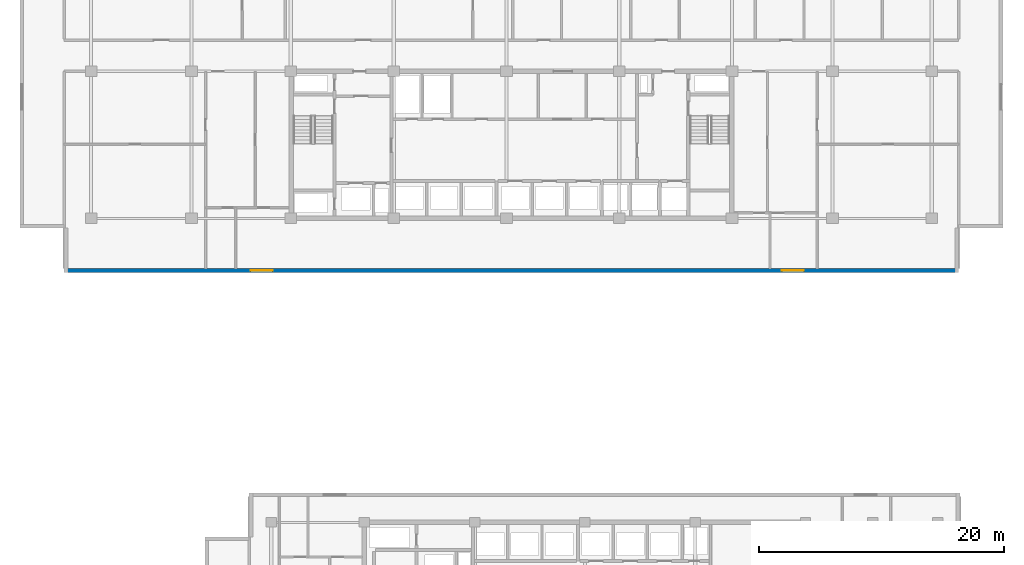
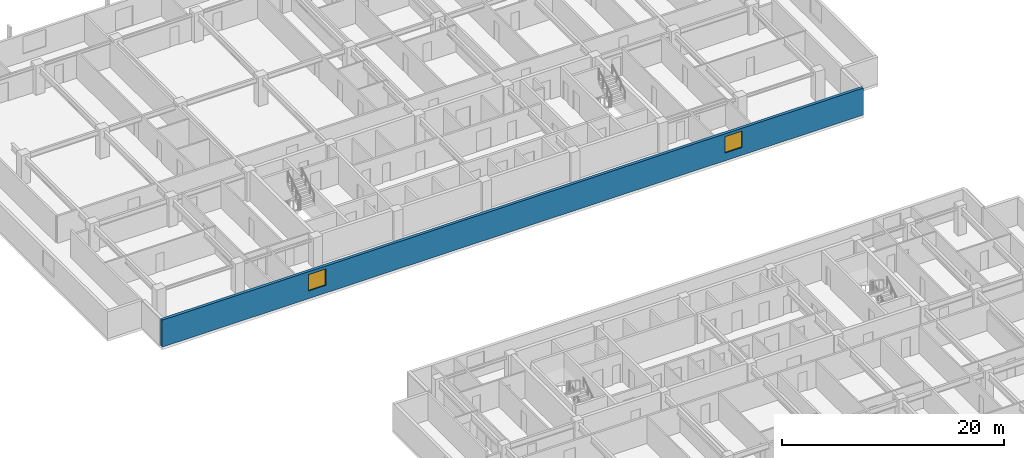
# One storey, part 8 of 21: 2 windows, 1 wall, 2 openings.
"""IFC4 building model written with IfcOpenShell, lengths in metres."""

from ifc_helpers import new_model, si_unit, direction, frame, frame_2d, origin, place, context, subcontext, project, spatial, rectangle, extrude, material, layer, layer_set, type_object, element, fill, save


model = new_model("IFC4")

# Units and contexts
model_context = context("Model", 3, precision=1e-05, world=origin(), true_north=direction((0.0, 1.0)))
body_context = subcontext(model_context, "Body", "Model", "MODEL_VIEW")
ifc_project = project(units=[si_unit("LENGTHUNIT", "METRE"), si_unit("AREAUNIT", "SQUARE_METRE"), si_unit("VOLUMEUNIT", "CUBIC_METRE"), si_unit("PLANEANGLEUNIT", "RADIAN"), si_unit("MASSUNIT", "GRAM", prefix="KILO")], contexts=[model_context])

# Site, building, storey
site_placement = place(None, origin())
site = spatial("IfcSite", under=ifc_project, at=site_placement, CompositionType="ELEMENT")
building_placement = place(site_placement, origin())
building = spatial("IfcBuilding", under=site, at=building_placement, Name="Korimba Cascade Residences", CompositionType="ELEMENT")
storey_placement = place(building_placement, frame((0.0, 0.0, 97.050048828125)))
storey = spatial("IfcBuildingStorey", under=building, at=storey_placement, Name="L27", CompositionType="ELEMENT", Elevation=97.050048828125)

# Wall, openings, windows
ifc_material_1 = material(Name="Precast concrete C40/50", Category="concrete")
ifc_layer = layer(ifc_material_1, 0.300048828125)
ifc_layer_set = layer_set([ifc_layer], Name="Precast concrete C40/50")
wall_type = type_object("IfcWallType", Name="EW-STONE-300", PredefinedType="STANDARD", material=ifc_layer_set)
wall_placement = place(storey_placement, frame((57.60009765625, 50.949951171875, 0.0), z_axis=(0.0, 0.0, 1.0), x_axis=(1.0, 0.0, 0.0)))
wall = element("IfcWall", 1, at=wall_placement, inside=storey, type_object=wall_type, Name="L27 T1 Perimeter Stone Wall E00", PredefinedType="STANDARD", context=body_context, shape_type="SweptSolid", body=[
    extrude(rectangle(XDim=73.0, YDim=0.300048828125, at=frame_2d((36.5, 0.0))), origin(), (0.0, 0.0, 1.0), 2.969970703125),
])
opening_1_placement = place(wall_placement, frame((15.22509765625, 0.0, 0.85009765625)))
opening_1 = element("IfcOpeningElement", 2, at=opening_1_placement, cuts=wall, Name="Opening W-02", PredefinedType="OPENING", context=body_context, shape_type="SweptSolid", body=[
    extrude(rectangle(XDim=1.800048828125, YDim=1.800048828125, at=frame_2d((0.89990234375, 0.89990234375))), frame((0.0, 0.16015625, 0.0), z_axis=(0.0, -1.0, 0.0), x_axis=(1.0, 0.0, 0.0)), (0.0, 0.0, 1.0), 0.320068359375),
])
opening_2_placement = place(wall_placement, frame((58.574951171875, 0.0, 0.85009765625)))
opening_2 = element("IfcOpeningElement", 3, at=opening_2_placement, cuts=wall, Name="Opening W-02", PredefinedType="OPENING", context=body_context, shape_type="SweptSolid", body=[
    extrude(rectangle(XDim=1.800048828125, YDim=1.800048828125, at=frame_2d((0.89990234375, 0.89990234375))), frame((0.0, 0.16015625, 0.0), z_axis=(0.0, -1.0, 0.0), x_axis=(1.0, 0.0, 0.0)), (0.0, 0.0, 1.0), 0.320068359375),
])
ifc_material_2 = material(Name="Double-Glazed Aluminium Window", Category="aluminium")
window_type = type_object("IfcWindowType", Name="WIN-BED-1800", PartitioningType="SINGLE_PANEL", PredefinedType="WINDOW", material=ifc_material_2)
window_1_placement = place(opening_1_placement, origin())
window_1 = element("IfcWindow", 4, at=window_1_placement, inside=storey, type_object=window_type, Name="L27 T1 South Corner Bedroom Window 1", OverallHeight=1.800048828125, OverallWidth=1.800048828125, PartitioningType="SINGLE_PANEL", PredefinedType="WINDOW", context=body_context, shape_type="SweptSolid", body=[
    extrude(rectangle(XDim=1.800048828125, YDim=1.800048828125, at=frame_2d((0.89990234375, 0.89990234375))), frame((0.0, 0.030029296875, 0.0), z_axis=(0.0, -1.0, 0.0), x_axis=(1.0, 0.0, 0.0)), (0.0, 0.0, 1.0), 0.06005859375),
])
fill(opening_1, window_1)
window_2_placement = place(opening_2_placement, origin())
window_2 = element("IfcWindow", 5, at=window_2_placement, inside=storey, type_object=window_type, Name="L27 T1 South Corner Bedroom Window 2", OverallHeight=1.800048828125, OverallWidth=1.800048828125, PartitioningType="SINGLE_PANEL", PredefinedType="WINDOW", context=body_context, shape_type="SweptSolid", body=[
    extrude(rectangle(XDim=1.800048828125, YDim=1.800048828125, at=frame_2d((0.89990234375, 0.89990234375))), frame((0.0, 0.030029296875, 0.0), z_axis=(0.0, -1.0, 0.0), x_axis=(1.0, 0.0, 0.0)), (0.0, 0.0, 1.0), 0.06005859375),
])
fill(opening_2, window_2)

save(model, "model.ifc")
